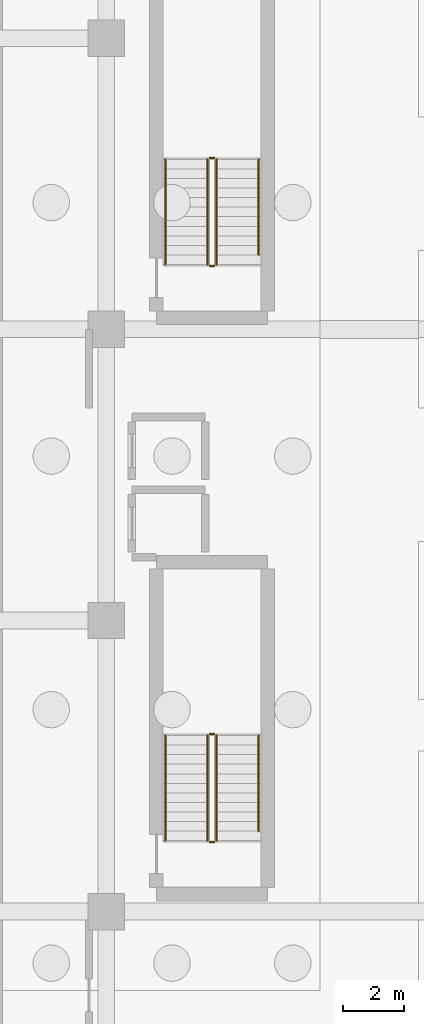
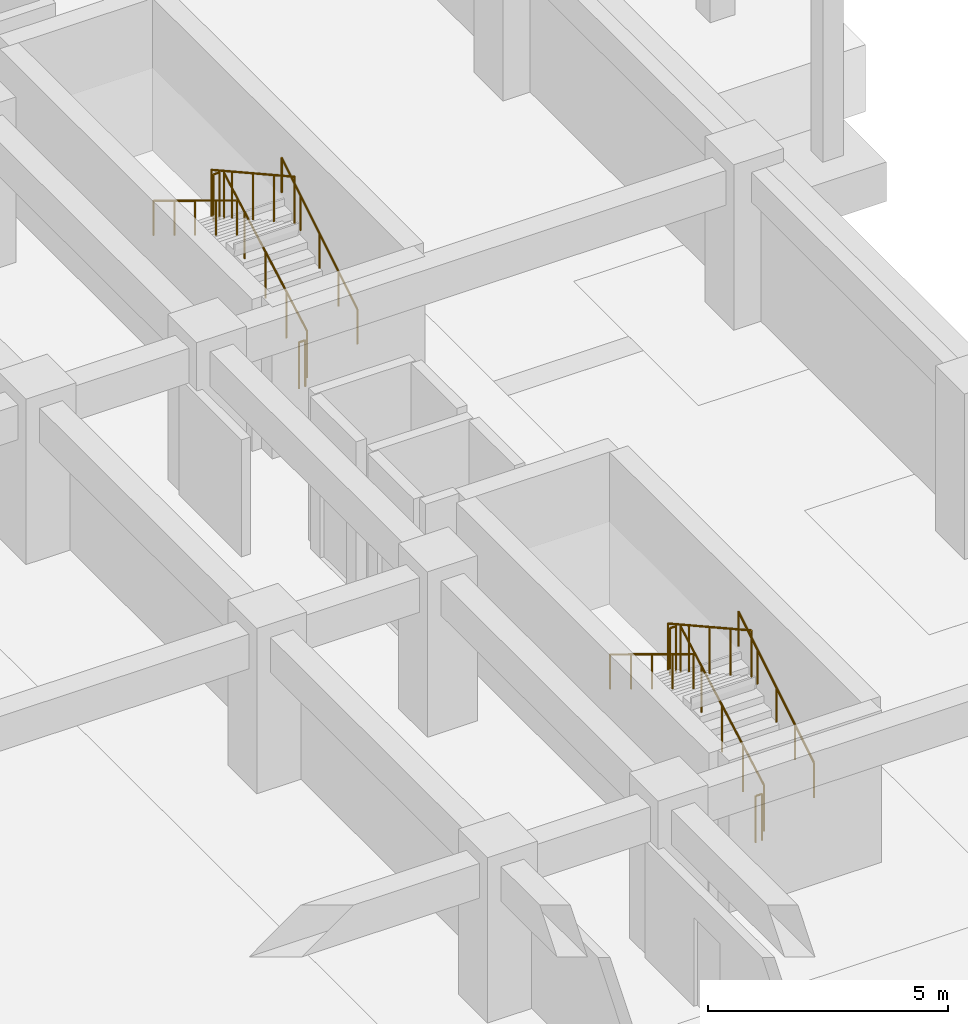
# One storey, part 37 of 39: 12 railings.
"""IFC4 building model written with IfcOpenShell, lengths in metres."""

from ifc_helpers import new_model, si_unit, direction, frame, origin, origin_2d, place, context, subcontext, project, spatial, circle, extrude, material, type_object, element, save


model = new_model("IFC4")

# Units and contexts
model_context = context("Model", 3, precision=1e-05, world=origin(), true_north=direction((0.0, 1.0)))
body_context = subcontext(model_context, "Body", "Model", "MODEL_VIEW")
ifc_project = project(units=[si_unit("LENGTHUNIT", "METRE"), si_unit("AREAUNIT", "SQUARE_METRE"), si_unit("VOLUMEUNIT", "CUBIC_METRE"), si_unit("PLANEANGLEUNIT", "RADIAN"), si_unit("MASSUNIT", "GRAM", prefix="KILO")], contexts=[model_context])

# Site, building, storey
site_placement = place(None, origin())
site = spatial("IfcSite", under=ifc_project, at=site_placement, CompositionType="ELEMENT")
building_placement = place(site_placement, origin())
building = spatial("IfcBuilding", under=site, at=building_placement, Name="Nakhvara Creek Congress Hotel", CompositionType="ELEMENT")
storey_placement = place(building_placement, frame((0.0, 0.0, -8.39990234375)))
storey = spatial("IfcBuildingStorey", under=building, at=storey_placement, Name="B2", CompositionType="ELEMENT", Elevation=-8.39990234375)

# Railings
ifc_material = material(Name="Brushed stainless steel 316L", Category="steel")
railing_type_1 = type_object("IfcRailingType", Name="RL-GUARD-1200", PredefinedType="GUARDRAIL", material=ifc_material)
railing_1_placement = place(storey_placement, frame((170.0849609375, 31.139892578125, 0.1748046875)))
element("IfcRailing", 1, at=railing_1_placement, inside=storey, type_object=railing_type_1, Name="B2 ST03 stair guard 1", PredefinedType="GUARDRAIL", context=body_context, shape_type="SweptSolid", body=[
    extrude(circle(Radius=0.02392578125, at=origin_2d()), frame((0.0, 0.012939453125, 1.18310546875), z_axis=(0.0, 0.874157276122, 0.485642931179), x_axis=(-1.0, 0.0, 0.0)), (0.0, 0.0, 1.0), 3.9345703125),
    extrude(circle(Radius=0.02099609375, at=origin_2d()), origin(), (0.0, 0.0, 1.0), 1.1806640625),
    extrude(circle(Radius=0.02099609375, at=origin_2d()), frame((0.0, 0.8662109375, 0.481201171875)), (0.0, 0.0, 1.0), 1.1806640625),
    extrude(circle(Radius=0.02099609375, at=origin_2d()), frame((0.0, 1.732421875, 0.96240234375)), (0.0, 0.0, 1.0), 1.1806640625),
    extrude(circle(Radius=0.02099609375, at=origin_2d()), frame((0.0, 2.598876953125, 1.44384765625)), (0.0, 0.0, 1.0), 1.1806640625),
    extrude(circle(Radius=0.02099609375, at=origin_2d()), frame((0.0, 3.465087890625, 1.925048828125)), (0.0, 0.0, 1.0), 1.1806640625),
])
railing_2_placement = place(storey_placement, frame((170.010009765625, 34.655029296875, 2.099853515625)))
element("IfcRailing", 2, at=railing_2_placement, inside=storey, type_object=railing_type_1, Name="B2 ST03 stair guard 2", PredefinedType="GUARDRAIL", context=body_context, shape_type="SweptSolid", body=[
    extrude(circle(Radius=0.02392578125, at=origin_2d()), frame((-0.0146484375, 0.0, 1.17578125), z_axis=(-1.0, 0.0, 0.0), x_axis=(0.0, -1.0, 0.0)), (0.0, 0.0, 1.0), 0.12060546875),
    extrude(circle(Radius=0.02099609375, at=origin_2d()), origin(), (0.0, 0.0, 1.0), 1.1806640625),
    extrude(circle(Radius=0.02099609375, at=origin_2d()), frame((-0.14990234375, 0.0, 0.0)), (0.0, 0.0, 1.0), 1.1806640625),
])
railing_3_placement = place(storey_placement, frame((169.784912109375, 34.60498046875, 2.27490234375)))
element("IfcRailing", 3, at=railing_3_placement, inside=storey, type_object=railing_type_1, Name="B2 ST03 stair guard 3", PredefinedType="GUARDRAIL", context=body_context, shape_type="SweptSolid", body=[
    extrude(circle(Radius=0.02392578125, at=origin_2d()), frame((0.0, -0.012939453125, 1.18310546875), z_axis=(0.0, -0.874157276122, 0.485642931179), x_axis=(1.0, 0.0, 0.0)), (0.0, 0.0, 1.0), 3.9345703125),
    extrude(circle(Radius=0.02099609375, at=origin_2d()), origin(), (0.0, 0.0, 1.0), 1.1806640625),
    extrude(circle(Radius=0.02099609375, at=origin_2d()), frame((0.0, -0.8662109375, 0.481201171875)), (0.0, 0.0, 1.0), 1.1806640625),
    extrude(circle(Radius=0.02099609375, at=origin_2d()), frame((0.0, -1.732421875, 0.96240234375)), (0.0, 0.0, 1.0), 1.1806640625),
    extrude(circle(Radius=0.02099609375, at=origin_2d()), frame((0.0, -2.598876953125, 1.44384765625)), (0.0, 0.0, 1.0), 1.1806640625),
    extrude(circle(Radius=0.02099609375, at=origin_2d()), frame((0.0, -3.465087890625, 1.925048828125)), (0.0, 0.0, 1.0), 1.1806640625),
])
railing_4_placement = place(storey_placement, frame((170.010009765625, 31.090087890625, 0.0)))
element("IfcRailing", 4, at=railing_4_placement, inside=storey, type_object=railing_type_1, Name="B2 ST03 stair guard 4", PredefinedType="GUARDRAIL", context=body_context, shape_type="SweptSolid", body=[
    extrude(circle(Radius=0.02392578125, at=origin_2d()), frame((-0.0146484375, 0.0, 1.17578125), z_axis=(-1.0, 0.0, 0.0), x_axis=(0.0, -1.0, 0.0)), (0.0, 0.0, 1.0), 0.12060546875),
    extrude(circle(Radius=0.02099609375, at=origin_2d()), origin(), (0.0, 0.0, 1.0), 1.1806640625),
    extrude(circle(Radius=0.02099609375, at=origin_2d()), frame((-0.14990234375, 0.0, 0.0)), (0.0, 0.0, 1.0), 1.1806640625),
])
railing_5_placement = place(storey_placement, frame((170.0849609375, 50.139892578125, 0.1748046875)))
element("IfcRailing", 5, at=railing_5_placement, inside=storey, type_object=railing_type_1, Name="B2 ST04 stair guard 1", PredefinedType="GUARDRAIL", context=body_context, shape_type="SweptSolid", body=[
    extrude(circle(Radius=0.02392578125, at=origin_2d()), frame((0.0, 0.012939453125, 1.18310546875), z_axis=(0.0, 0.874157276122, 0.485642931179), x_axis=(-1.0, 0.0, 0.0)), (0.0, 0.0, 1.0), 3.9345703125),
    extrude(circle(Radius=0.02099609375, at=origin_2d()), origin(), (0.0, 0.0, 1.0), 1.1806640625),
    extrude(circle(Radius=0.02099609375, at=origin_2d()), frame((0.0, 0.8662109375, 0.481201171875)), (0.0, 0.0, 1.0), 1.1806640625),
    extrude(circle(Radius=0.02099609375, at=origin_2d()), frame((0.0, 1.732421875, 0.96240234375)), (0.0, 0.0, 1.0), 1.1806640625),
    extrude(circle(Radius=0.02099609375, at=origin_2d()), frame((0.0, 2.598876953125, 1.44384765625)), (0.0, 0.0, 1.0), 1.1806640625),
    extrude(circle(Radius=0.02099609375, at=origin_2d()), frame((0.0, 3.465087890625, 1.925048828125)), (0.0, 0.0, 1.0), 1.1806640625),
])
railing_6_placement = place(storey_placement, frame((170.010009765625, 53.655029296875, 2.099853515625)))
element("IfcRailing", 6, at=railing_6_placement, inside=storey, type_object=railing_type_1, Name="B2 ST04 stair guard 2", PredefinedType="GUARDRAIL", context=body_context, shape_type="SweptSolid", body=[
    extrude(circle(Radius=0.02392578125, at=origin_2d()), frame((-0.0146484375, 0.0, 1.17578125), z_axis=(-1.0, 0.0, 0.0), x_axis=(0.0, -1.0, 0.0)), (0.0, 0.0, 1.0), 0.12060546875),
    extrude(circle(Radius=0.02099609375, at=origin_2d()), origin(), (0.0, 0.0, 1.0), 1.1806640625),
    extrude(circle(Radius=0.02099609375, at=origin_2d()), frame((-0.14990234375, 0.0, 0.0)), (0.0, 0.0, 1.0), 1.1806640625),
])
railing_7_placement = place(storey_placement, frame((169.784912109375, 53.60498046875, 2.27490234375)))
element("IfcRailing", 7, at=railing_7_placement, inside=storey, type_object=railing_type_1, Name="B2 ST04 stair guard 3", PredefinedType="GUARDRAIL", context=body_context, shape_type="SweptSolid", body=[
    extrude(circle(Radius=0.02392578125, at=origin_2d()), frame((0.0, -0.012939453125, 1.18310546875), z_axis=(0.0, -0.874157276122, 0.485642931179), x_axis=(1.0, 0.0, 0.0)), (0.0, 0.0, 1.0), 3.9345703125),
    extrude(circle(Radius=0.02099609375, at=origin_2d()), origin(), (0.0, 0.0, 1.0), 1.1806640625),
    extrude(circle(Radius=0.02099609375, at=origin_2d()), frame((0.0, -0.8662109375, 0.481201171875)), (0.0, 0.0, 1.0), 1.1806640625),
    extrude(circle(Radius=0.02099609375, at=origin_2d()), frame((0.0, -1.732421875, 0.96240234375)), (0.0, 0.0, 1.0), 1.1806640625),
    extrude(circle(Radius=0.02099609375, at=origin_2d()), frame((0.0, -2.598876953125, 1.44384765625)), (0.0, 0.0, 1.0), 1.1806640625),
    extrude(circle(Radius=0.02099609375, at=origin_2d()), frame((0.0, -3.465087890625, 1.925048828125)), (0.0, 0.0, 1.0), 1.1806640625),
])
railing_8_placement = place(storey_placement, frame((170.010009765625, 50.090087890625, 0.0)))
element("IfcRailing", 8, at=railing_8_placement, inside=storey, type_object=railing_type_1, Name="B2 ST04 stair guard 4", PredefinedType="GUARDRAIL", context=body_context, shape_type="SweptSolid", body=[
    extrude(circle(Radius=0.02392578125, at=origin_2d()), frame((-0.0146484375, 0.0, 1.17578125), z_axis=(-1.0, 0.0, 0.0), x_axis=(0.0, -1.0, 0.0)), (0.0, 0.0, 1.0), 0.12060546875),
    extrude(circle(Radius=0.02099609375, at=origin_2d()), origin(), (0.0, 0.0, 1.0), 1.1806640625),
    extrude(circle(Radius=0.02099609375, at=origin_2d()), frame((-0.14990234375, 0.0, 0.0)), (0.0, 0.0, 1.0), 1.1806640625),
])
railing_type_2 = type_object("IfcRailingType", Name="RL-HAND-900", PredefinedType="HANDRAIL", material=ifc_material)
railing_9_placement = place(storey_placement, frame((171.47509765625, 31.455078125, 0.349853515625)))
element("IfcRailing", 9, at=railing_9_placement, inside=storey, type_object=railing_type_2, Name="B2 ST03 stair handrail 1", PredefinedType="HANDRAIL", context=body_context, shape_type="SweptSolid", body=[
    extrude(circle(Radius=0.02392578125, at=origin_2d()), frame((0.0, 0.012451171875, 0.883544921875), z_axis=(0.0, 0.85194385619, 0.523633140567), x_axis=(-1.0, 0.0, 0.0)), (0.0, 0.0, 1.0), 3.66796875),
    extrude(circle(Radius=0.02099609375, at=origin_2d()), origin(), (0.0, 0.0, 1.0), 0.880615234375),
    extrude(circle(Radius=0.02099609375, at=origin_2d()), frame((0.0, 0.78759765625, 0.48388671875)), (0.0, 0.0, 1.0), 0.880615234375),
    extrude(circle(Radius=0.02099609375, at=origin_2d()), frame((0.0, 1.574951171875, 0.968017578125)), (0.0, 0.0, 1.0), 0.880615234375),
    extrude(circle(Radius=0.02099609375, at=origin_2d()), frame((0.0, 2.3623046875, 1.4521484375)), (0.0, 0.0, 1.0), 0.880615234375),
    extrude(circle(Radius=0.02099609375, at=origin_2d()), frame((0.0, 3.14990234375, 1.93603515625)), (0.0, 0.0, 1.0), 0.880615234375),
])
railing_10_placement = place(storey_placement, frame((168.39501953125, 34.60498046875, 2.27490234375)))
element("IfcRailing", 10, at=railing_10_placement, inside=storey, type_object=railing_type_2, Name="B2 ST03 stair handrail 2", PredefinedType="HANDRAIL", context=body_context, shape_type="SweptSolid", body=[
    extrude(circle(Radius=0.02392578125, at=origin_2d()), frame((0.0, -0.012451171875, 0.883544921875), z_axis=(0.0, -0.853990507121, 0.520288586985), x_axis=(1.0, 0.0, 0.0)), (0.0, 0.0, 1.0), 4.028076171875),
    extrude(circle(Radius=0.02099609375, at=origin_2d()), origin(), (0.0, 0.0, 1.0), 0.880615234375),
    extrude(circle(Radius=0.02099609375, at=origin_2d()), frame((0.0, -0.8662109375, 0.52783203125)), (0.0, 0.0, 1.0), 0.880615234375),
    extrude(circle(Radius=0.02099609375, at=origin_2d()), frame((0.0, -1.732421875, 1.0556640625)), (0.0, 0.0, 1.0), 0.880615234375),
    extrude(circle(Radius=0.02099609375, at=origin_2d()), frame((0.0, -2.598876953125, 1.583251953125)), (0.0, 0.0, 1.0), 0.880615234375),
    extrude(circle(Radius=0.02099609375, at=origin_2d()), frame((0.0, -3.465087890625, 2.111083984375)), (0.0, 0.0, 1.0), 0.880615234375),
])
railing_11_placement = place(storey_placement, frame((171.47509765625, 50.455078125, 0.349853515625)))
element("IfcRailing", 11, at=railing_11_placement, inside=storey, type_object=railing_type_2, Name="B2 ST04 stair handrail 1", PredefinedType="HANDRAIL", context=body_context, shape_type="SweptSolid", body=[
    extrude(circle(Radius=0.02392578125, at=origin_2d()), frame((0.0, 0.012451171875, 0.883544921875), z_axis=(0.0, 0.85194385619, 0.523633140567), x_axis=(-1.0, 0.0, 0.0)), (0.0, 0.0, 1.0), 3.66796875),
    extrude(circle(Radius=0.02099609375, at=origin_2d()), origin(), (0.0, 0.0, 1.0), 0.880615234375),
    extrude(circle(Radius=0.02099609375, at=origin_2d()), frame((0.0, 0.78759765625, 0.48388671875)), (0.0, 0.0, 1.0), 0.880615234375),
    extrude(circle(Radius=0.02099609375, at=origin_2d()), frame((0.0, 1.574951171875, 0.968017578125)), (0.0, 0.0, 1.0), 0.880615234375),
    extrude(circle(Radius=0.02099609375, at=origin_2d()), frame((0.0, 2.3623046875, 1.4521484375)), (0.0, 0.0, 1.0), 0.880615234375),
    extrude(circle(Radius=0.02099609375, at=origin_2d()), frame((0.0, 3.14990234375, 1.93603515625)), (0.0, 0.0, 1.0), 0.880615234375),
])
railing_12_placement = place(storey_placement, frame((168.39501953125, 53.60498046875, 2.27490234375)))
element("IfcRailing", 12, at=railing_12_placement, inside=storey, type_object=railing_type_2, Name="B2 ST04 stair handrail 2", PredefinedType="HANDRAIL", context=body_context, shape_type="SweptSolid", body=[
    extrude(circle(Radius=0.02392578125, at=origin_2d()), frame((0.0, -0.012451171875, 0.883544921875), z_axis=(0.0, -0.853990507121, 0.520288586985), x_axis=(1.0, 0.0, 0.0)), (0.0, 0.0, 1.0), 4.028076171875),
    extrude(circle(Radius=0.02099609375, at=origin_2d()), origin(), (0.0, 0.0, 1.0), 0.880615234375),
    extrude(circle(Radius=0.02099609375, at=origin_2d()), frame((0.0, -0.8662109375, 0.52783203125)), (0.0, 0.0, 1.0), 0.880615234375),
    extrude(circle(Radius=0.02099609375, at=origin_2d()), frame((0.0, -1.732421875, 1.0556640625)), (0.0, 0.0, 1.0), 0.880615234375),
    extrude(circle(Radius=0.02099609375, at=origin_2d()), frame((0.0, -2.598876953125, 1.583251953125)), (0.0, 0.0, 1.0), 0.880615234375),
    extrude(circle(Radius=0.02099609375, at=origin_2d()), frame((0.0, -3.465087890625, 2.111083984375)), (0.0, 0.0, 1.0), 0.880615234375),
])

save(model, "model.ifc")
